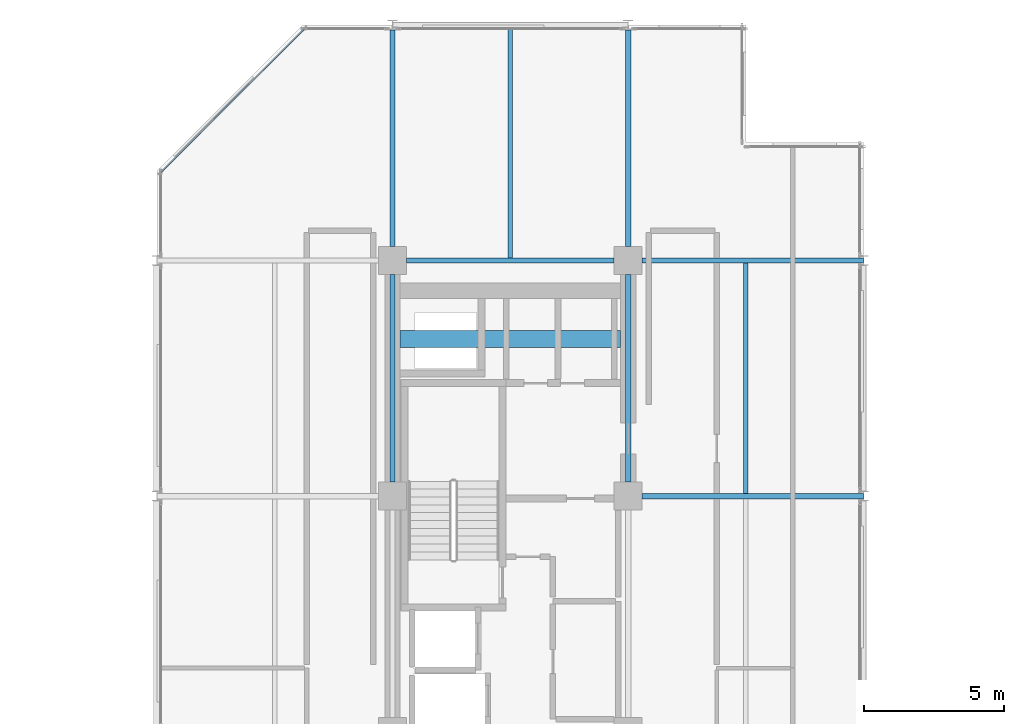
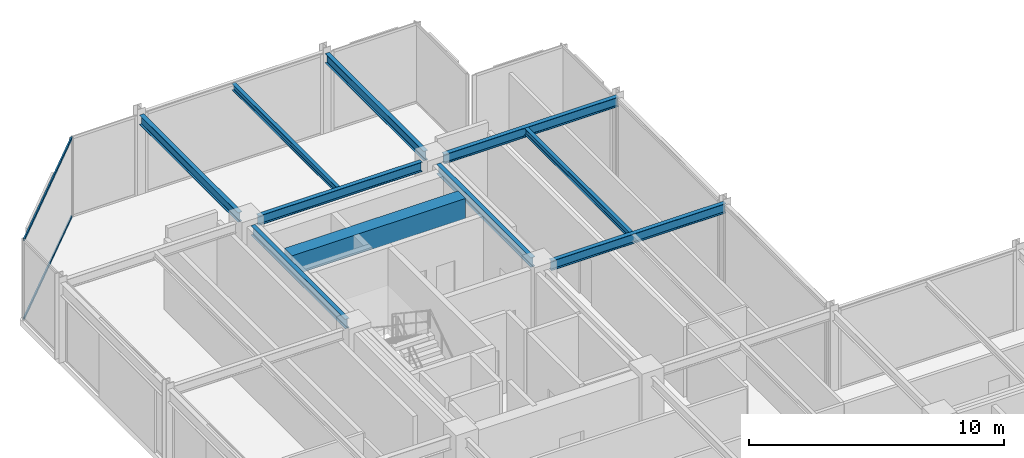
# One storey, part 18 of 29: 10 beams, 2 members, 1 element without a shape of its own.
"""IFC4 building model written with IfcOpenShell, lengths in metres."""

from ifc_helpers import new_model, si_unit, direction, frame, origin, origin_2d, place, context, subcontext, project, spatial, rectangle, hollow_rectangle, i_section, extrude, material, layer, layer_set, material_profile, profile_set, type_object, element, aggregate, save


model = new_model("IFC4")

# Units and contexts
model_context = context("Model", 3, precision=1e-05, world=origin(), true_north=direction((0.0, 1.0)))
body_context = subcontext(model_context, "Body", "Model", "MODEL_VIEW")
ifc_project = project(units=[si_unit("LENGTHUNIT", "METRE"), si_unit("AREAUNIT", "SQUARE_METRE"), si_unit("VOLUMEUNIT", "CUBIC_METRE"), si_unit("PLANEANGLEUNIT", "RADIAN"), si_unit("MASSUNIT", "GRAM", prefix="KILO")], contexts=[model_context])

# Site, building, storey
site_placement = place(None, origin())
site = spatial("IfcSite", under=ifc_project, at=site_placement, CompositionType="ELEMENT")
building_placement = place(site_placement, origin())
building = spatial("IfcBuilding", under=site, at=building_placement, Name="Nerrivon Quay Data Exchange", CompositionType="ELEMENT")
storey_placement = place(building_placement, frame((0.0, 0.0, 208.300048828125)))
storey = spatial("IfcBuildingStorey", under=building, at=storey_placement, Name="L49", CompositionType="ELEMENT", Elevation=208.300048828125)

# Beams
ifc_material_1 = material(Name="Concrete N50 (50 MPa)", Category="concrete")
ifc_material_profile_1 = material_profile(ifc_material_1, rectangle(XDim=0.60009765625, YDim=0.949951171875, at=origin_2d()), Name="RC-CB-600x950")
ifc_profile_set_1 = profile_set([ifc_material_profile_1], Name="Concrete N50 (50 MPa)")
beam_type_1 = type_object("IfcBeamType", Name="BM-CB2-600x950", PredefinedType="LINTEL", material=ifc_profile_set_1)
beam_1_placement = place(storey_placement, frame((8.675048828125, 39.199951171875, 3.349853515625), z_axis=(1.0, 0.0, 0.0), x_axis=(0.0, 1.0, 0.0)))
element("IfcBeam", 1, at=beam_1_placement, inside=storey, type_object=beam_type_1, Name="L49 West Core Coupling Beam", PredefinedType="LINTEL", context=body_context, shape_type="SweptSolid", body=[
    extrude(rectangle(XDim=0.60009765625, YDim=0.949951171875, at=origin_2d()), origin(), (0.0, 0.0, 1.0), 7.849853515625),
])
ifc_material_2 = material(Name="Steel Grade 350", Category="steel")
ifc_material_profile_2 = material_profile(ifc_material_2, i_section(OverallWidth=0.19091796875, OverallDepth=0.4599609375, WebThickness=0.010009765625, FlangeThickness=0.01611328125, FilletRadius=0.011474609375, at=origin_2d()), Name="460UB82.1")
ifc_profile_set_2 = profile_set([ifc_material_profile_2], Name="Steel Grade 350")
beam_type_2 = type_object("IfcBeamType", Name="BM-G5-460UB82", PredefinedType="BEAM", material=ifc_profile_set_2)
beam_2_placement = place(storey_placement, frame((17.300048828125, 33.60009765625, 3.594970703125), z_axis=(1.0, 0.0, 0.0), x_axis=(0.0, 1.0, 0.0)))
element("IfcBeam", 2, at=beam_2_placement, inside=storey, type_object=beam_type_2, Name="L49 EW Girder Y=33.6 (16.8..25.2)", PredefinedType="BEAM", context=body_context, shape_type="SweptSolid", body=[
    extrude(i_section(OverallWidth=0.19091796875, OverallDepth=0.4599609375, WebThickness=0.010009765625, FlangeThickness=0.01611328125, FilletRadius=0.011474609375, at=origin_2d()), origin(), (0.0, 0.0, 1.0), 7.889892578125),
])
beam_3_placement = place(storey_placement, frame((8.89990234375, 42.0, 3.594970703125), z_axis=(1.0, 0.0, 0.0), x_axis=(0.0, 1.0, 0.0)))
element("IfcBeam", 3, at=beam_3_placement, inside=storey, type_object=beam_type_2, Name="L49 EW Girder Y=42.0 (8.4..16.8)", PredefinedType="BEAM", context=body_context, shape_type="SweptSolid", body=[
    extrude(i_section(OverallWidth=0.19091796875, OverallDepth=0.4599609375, WebThickness=0.010009765625, FlangeThickness=0.01611328125, FilletRadius=0.011474609375, at=origin_2d()), origin(), (0.0, 0.0, 1.0), 7.400146484375),
])
beam_4_placement = place(storey_placement, frame((17.300048828125, 42.0, 3.594970703125), z_axis=(1.0, 0.0, 0.0), x_axis=(0.0, 1.0, 0.0)))
element("IfcBeam", 4, at=beam_4_placement, inside=storey, type_object=beam_type_2, Name="L49 EW Girder Y=42.0 (16.8..25.2)", PredefinedType="BEAM", context=body_context, shape_type="SweptSolid", body=[
    extrude(i_section(OverallWidth=0.19091796875, OverallDepth=0.4599609375, WebThickness=0.010009765625, FlangeThickness=0.01611328125, FilletRadius=0.011474609375, at=origin_2d()), origin(), (0.0, 0.0, 1.0), 7.889892578125),
])
ifc_material_profile_3 = material_profile(ifc_material_2, i_section(OverallWidth=0.18994140625, OverallDepth=0.4541015625, WebThickness=0.008544921875, FlangeThickness=0.0126953125, FilletRadius=0.011474609375, at=origin_2d()), Name="460UB67.1")
ifc_profile_set_3 = profile_set([ifc_material_profile_3], Name="Steel Grade 350")
beam_type_3 = type_object("IfcBeamType", Name="BM-G6-460UB67", PredefinedType="BEAM", material=ifc_profile_set_3)
beam_5_placement = place(storey_placement, frame((8.39990234375, 34.10009765625, 3.597900390625), z_axis=(0.0, 1.0, 0.0), x_axis=(-1.0, 0.0, 0.0)))
element("IfcBeam", 5, at=beam_5_placement, inside=storey, type_object=beam_type_3, Name="L49 NS Girder X=8.4 (33.6..42.0)", PredefinedType="BEAM", context=body_context, shape_type="SweptSolid", body=[
    extrude(i_section(OverallWidth=0.18994140625, OverallDepth=0.4541015625, WebThickness=0.008544921875, FlangeThickness=0.0126953125, FilletRadius=0.011474609375, at=origin_2d()), origin(), (0.0, 0.0, 1.0), 7.39990234375),
])
beam_6_placement = place(storey_placement, frame((8.39990234375, 42.5, 3.597900390625), z_axis=(0.0, 1.0, 0.0), x_axis=(-1.0, 0.0, 0.0)))
element("IfcBeam", 6, at=beam_6_placement, inside=storey, type_object=beam_type_3, Name="L49 NS Girder X=8.4 (42.0..50.4)", PredefinedType="BEAM", context=body_context, shape_type="SweptSolid", body=[
    extrude(i_section(OverallWidth=0.18994140625, OverallDepth=0.4541015625, WebThickness=0.008544921875, FlangeThickness=0.0126953125, FilletRadius=0.011474609375, at=origin_2d()), origin(), (0.0, 0.0, 1.0), 7.72509765625),
])
beam_7_placement = place(storey_placement, frame((16.800048828125, 34.10009765625, 3.597900390625), z_axis=(0.0, 1.0, 0.0), x_axis=(-1.0, 0.0, 0.0)))
element("IfcBeam", 7, at=beam_7_placement, inside=storey, type_object=beam_type_3, Name="L49 NS Girder X=16.8 (33.6..42.0)", PredefinedType="BEAM", context=body_context, shape_type="SweptSolid", body=[
    extrude(i_section(OverallWidth=0.18994140625, OverallDepth=0.4541015625, WebThickness=0.008544921875, FlangeThickness=0.0126953125, FilletRadius=0.011474609375, at=origin_2d()), origin(), (0.0, 0.0, 1.0), 7.39990234375),
])
beam_8_placement = place(storey_placement, frame((16.800048828125, 42.5, 3.597900390625), z_axis=(0.0, 1.0, 0.0), x_axis=(-1.0, 0.0, 0.0)))
element("IfcBeam", 8, at=beam_8_placement, inside=storey, type_object=beam_type_3, Name="L49 NS Girder X=16.8 (42.0..50.4)", PredefinedType="BEAM", context=body_context, shape_type="SweptSolid", body=[
    extrude(i_section(OverallWidth=0.18994140625, OverallDepth=0.4541015625, WebThickness=0.008544921875, FlangeThickness=0.0126953125, FilletRadius=0.011474609375, at=origin_2d()), origin(), (0.0, 0.0, 1.0), 7.72509765625),
])
ifc_material_profile_4 = material_profile(ifc_material_2, i_section(OverallWidth=0.166015625, OverallDepth=0.306884765625, WebThickness=0.006591796875, FlangeThickness=0.01171875, FilletRadius=0.011474609375, at=origin_2d()), Name="310UB46.2")
ifc_profile_set_4 = profile_set([ifc_material_profile_4], Name="Steel Grade 350")
beam_type_4 = type_object("IfcBeamType", Name="BM-J5-310UB46", PredefinedType="JOIST", material=ifc_profile_set_4)
beam_9_placement = place(storey_placement, frame((12.60009765625, 42.095458984375, 3.67138671875), z_axis=(0.0, 1.0, 0.0), x_axis=(-1.0, 0.0, 0.0)))
element("IfcBeam", 9, at=beam_9_placement, inside=storey, type_object=beam_type_4, Name="L49 Secondary Joist X=12.6 (42.0..50.4)", PredefinedType="JOIST", context=body_context, shape_type="SweptSolid", body=[
    extrude(i_section(OverallWidth=0.166015625, OverallDepth=0.306884765625, WebThickness=0.006591796875, FlangeThickness=0.01171875, FilletRadius=0.011474609375, at=origin_2d()), origin(), (0.0, 0.0, 1.0), 8.20458984375),
])
beam_10_placement = place(storey_placement, frame((21.0, 33.695556640625, 3.67138671875), z_axis=(0.0, 1.0, 0.0), x_axis=(-1.0, 0.0, 0.0)))
element("IfcBeam", 10, at=beam_10_placement, inside=storey, type_object=beam_type_4, Name="L49 Secondary Joist X=21.0 (33.6..42.0)", PredefinedType="JOIST", context=body_context, shape_type="SweptSolid", body=[
    extrude(i_section(OverallWidth=0.166015625, OverallDepth=0.306884765625, WebThickness=0.006591796875, FlangeThickness=0.01171875, FilletRadius=0.011474609375, at=origin_2d()), origin(), (0.0, 0.0, 1.0), 8.208984375),
])

# Curtain wall, members
ifc_material_3 = material(Name="Anodised aluminium 6063-T6", Category="aluminium")
ifc_layer = layer(ifc_material_3, 0.195068359375)
ifc_layer_set = layer_set([ifc_layer], Name="Anodised aluminium 6063-T6")
curtain_wall_type = type_object("IfcCurtainWallType", Name="CW-SYS-06", PredefinedType="NOTDEFINED", material=ifc_layer_set)
curtain_wall_placement = place(storey_placement, origin())
curtain_wall = element("IfcCurtainWall", 11, at=curtain_wall_placement, inside=storey, type_object=curtain_wall_type, Name="L49 Unitised Curtain Wall 7", PredefinedType="NOTDEFINED")
ifc_material_profile_5 = material_profile(ifc_material_3, hollow_rectangle(XDim=0.06005859375, YDim=0.1201171875, WallThickness=0.003173828125, at=origin_2d()), Name="ALU-TRAN-120x60")
ifc_profile_set_5 = profile_set([ifc_material_profile_5], Name="Anodised aluminium 6063-T6")
member_type = type_object("IfcMemberType", Name="CWT-120x60", PredefinedType="USERDEFINED", material=ifc_profile_set_5)
member_1_placement = place(storey_placement, frame((0.152099609375, 45.154052734375, 0.032470703125), z_axis=(0.707089835771, 0.707123726196, 0.0), x_axis=(-0.707123726196, 0.707089835771, 0.0)))
member_1 = element("IfcMember", 12, at=member_1_placement, type_object=member_type, Name="CW06 transom 1.1", ObjectType="TRANSOM", PredefinedType="USERDEFINED", context=body_context, shape_type="SweptSolid", body=[
    extrude(hollow_rectangle(XDim=0.06005859375, YDim=0.1201171875, WallThickness=0.003173828125, at=origin_2d()), origin(), (0.0, 0.0, 1.0), 7.203857421875),
])
member_2_placement = place(storey_placement, frame((0.152099609375, 45.154052734375, 3.79248046875), z_axis=(0.707089835771, 0.707123726196, 0.0), x_axis=(-0.707123726196, 0.707089835771, 0.0)))
member_2 = element("IfcMember", 13, at=member_2_placement, type_object=member_type, Name="CW06 transom 1.2", ObjectType="TRANSOM", PredefinedType="USERDEFINED", context=body_context, shape_type="SweptSolid", body=[
    extrude(hollow_rectangle(XDim=0.06005859375, YDim=0.1201171875, WallThickness=0.003173828125, at=origin_2d()), origin(), (0.0, 0.0, 1.0), 7.203857421875),
])
aggregate(curtain_wall, [member_1, member_2])

save(model, "model.ifc")
